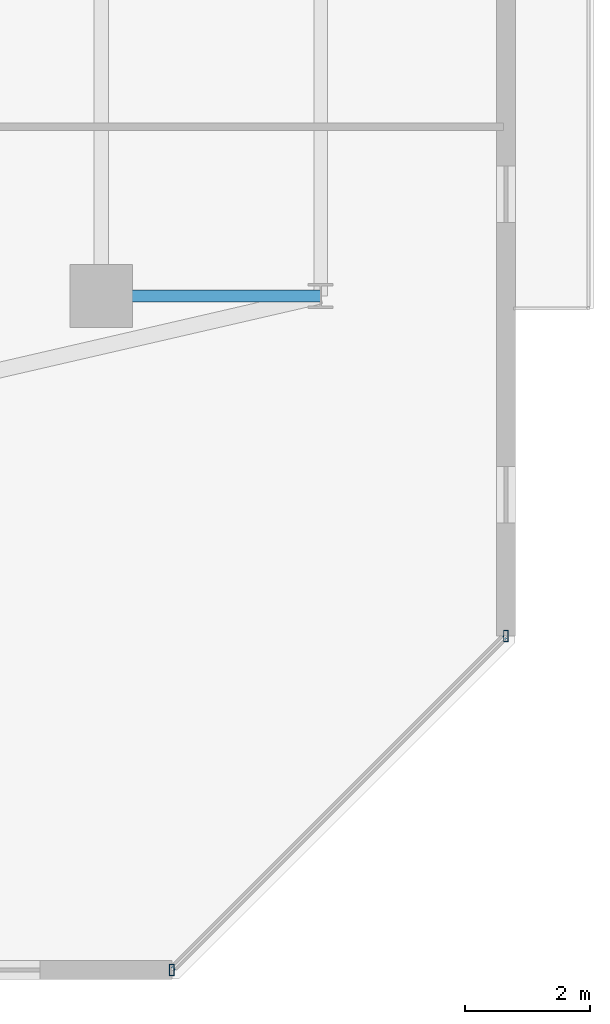
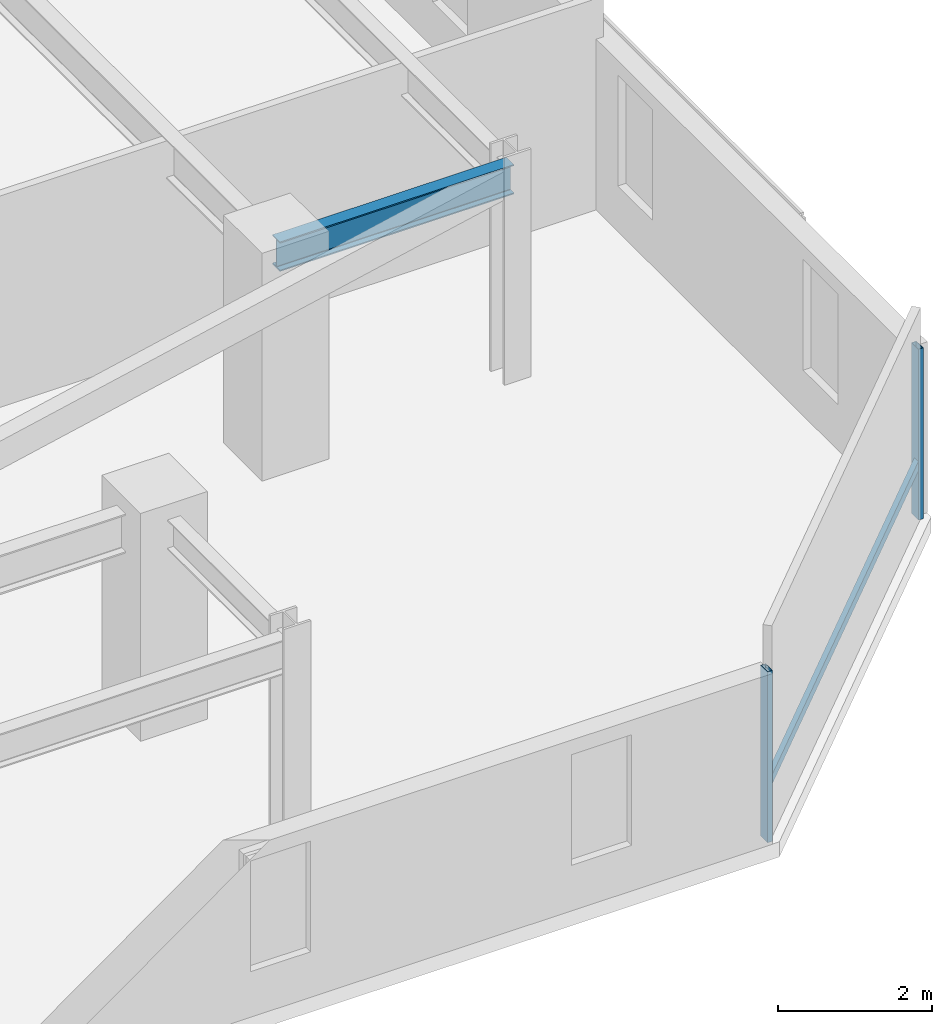
# One storey, part 12 of 32: 3 members, 1 beam, 1 element without a shape of its own.
"""IFC4 building model written with IfcOpenShell, lengths in metres."""

from ifc_helpers import new_model, si_unit, direction, frame, origin, origin_2d, place, context, subcontext, project, spatial, hollow_rectangle, i_section, extrude, material, material_profile, profile_set, type_object, element, aggregate, save


model = new_model("IFC4")

# Units and contexts
model_context = context("Model", 3, precision=1e-05, world=origin(), true_north=direction((0.0, 1.0)))
body_context = subcontext(model_context, "Body", "Model", "MODEL_VIEW")
ifc_project = project(units=[si_unit("LENGTHUNIT", "METRE"), si_unit("AREAUNIT", "SQUARE_METRE"), si_unit("VOLUMEUNIT", "CUBIC_METRE"), si_unit("PLANEANGLEUNIT", "RADIAN"), si_unit("MASSUNIT", "GRAM", prefix="KILO")], contexts=[model_context])

# Site, building, storey
site_placement = place(None, origin())
site = spatial("IfcSite", under=ifc_project, at=site_placement, CompositionType="ELEMENT")
building_placement = place(site_placement, origin())
building = spatial("IfcBuilding", under=site, at=building_placement, Name="Thornwick Lancets Civic Towers", CompositionType="ELEMENT")
storey_placement = place(building_placement, frame((0.0, 0.0, 240.300048828125)))
storey = spatial("IfcBuildingStorey", under=building, at=storey_placement, Name="L64", CompositionType="ELEMENT", Elevation=240.300048828125)

# Beam
ifc_material_1 = material(Name="Steel S355JR", Category="steel")
ifc_material_profile_1 = material_profile(ifc_material_1, i_section(OverallWidth=0.19287109375, OverallDepth=0.46728515625, WebThickness=0.011474609375, FlangeThickness=0.01953125, FilletRadius=0.01025390625, at=origin_2d()), Name="UKB 457x191x98")
ifc_profile_set_1 = profile_set([ifc_material_profile_1], Name="Steel S355JR")
beam_type = type_object("IfcBeamType", Name="BM_JOIST_457_98", PredefinedType="JOIST", material=ifc_profile_set_1)
beam_placement = place(storey_placement, frame((105.800048828125, 14.0, 3.12646484375), z_axis=(1.0, 0.0, 0.0), x_axis=(0.0, 1.0, 0.0)))
element("IfcBeam", 1, at=beam_placement, inside=storey, type_object=beam_type, Name="BM-RAD-L64-B01", PredefinedType="JOIST", context=body_context, shape_type="SweptSolid", body=[
    extrude(i_section(OverallWidth=0.19287109375, OverallDepth=0.46728515625, WebThickness=0.011474609375, FlangeThickness=0.01953125, FilletRadius=0.01025390625, at=origin_2d()), origin(), (0.0, 0.0, 1.0), 3.5),
])

# Curtain wall, members
ifc_material_2 = material(Name="High-zone chamfered-corner unitised glass curtain wall", Category="glass")
curtain_wall_type = type_object("IfcCurtainWallType", Name="CW_SYS_05", PredefinedType="NOTDEFINED", material=ifc_material_2)
curtain_wall_placement = place(storey_placement, origin())
curtain_wall = element("IfcCurtainWall", 2, at=curtain_wall_placement, inside=storey, type_object=curtain_wall_type, Name="L64 Curtain Wall CW-L64-B-E1", PredefinedType="NOTDEFINED")
ifc_material_3 = material(Name="Thermally broken bronze aluminium S355", Category="steel")
ifc_material_profile_2 = material_profile(ifc_material_3, hollow_rectangle(XDim=0.074951171875, YDim=0.179931640625, WallThickness=0.006103515625, at=origin_2d()), Name="RHS 180x75x6")
ifc_profile_set_2 = profile_set([ifc_material_profile_2], Name="Thermally broken bronze aluminium S355")
member_type_1 = type_object("IfcMemberType", Name="CW_MUL_180", PredefinedType="MULLION", material=ifc_profile_set_2)
member_1_placement = place(storey_placement, frame((106.923583984375, 3.244384765625, 0.0), z_axis=(0.0, 0.0, 1.0), x_axis=(1.0, 0.0, 0.0)))
member_1 = element("IfcMember", 3, at=member_1_placement, type_object=member_type_1, Name="CW-L64-B-E1 Mullion 0", PredefinedType="MULLION", context=body_context, shape_type="SweptSolid", body=[
    extrude(hollow_rectangle(XDim=0.074951171875, YDim=0.179931640625, WallThickness=0.006103515625, at=origin_2d()), origin(), (0.0, 0.0, 1.0), 2.699951171875),
])
member_2_placement = place(storey_placement, frame((112.255615234375, 8.576416015625, 0.0), z_axis=(0.0, 0.0, 1.0), x_axis=(1.0, 0.0, 0.0)))
member_2 = element("IfcMember", 4, at=member_2_placement, type_object=member_type_1, Name="CW-L64-B-E1 Mullion 1", PredefinedType="MULLION", context=body_context, shape_type="SweptSolid", body=[
    extrude(hollow_rectangle(XDim=0.074951171875, YDim=0.179931640625, WallThickness=0.006103515625, at=origin_2d()), origin(), (0.0, 0.0, 1.0), 2.699951171875),
])
ifc_material_profile_3 = material_profile(ifc_material_3, hollow_rectangle(XDim=0.074951171875, YDim=0.14990234375, WallThickness=0.0048828125, at=origin_2d()), Name="RHS 150x75x5")
ifc_profile_set_3 = profile_set([ifc_material_profile_3], Name="Thermally broken bronze aluminium S355")
member_type_2 = type_object("IfcMemberType", Name="CW_TRN_150", PredefinedType="USERDEFINED", material=ifc_profile_set_3)
member_3_placement = place(storey_placement, frame((106.937744140625, 3.258544921875, 0.849853515625), z_axis=(0.707106781187, 0.707106781187, 0.0), x_axis=(-0.707106781187, 0.707106781187, 0.0)))
member_3 = element("IfcMember", 5, at=member_3_placement, type_object=member_type_2, Name="CW-L64-B-E1 Transom 0", ObjectType="TRANSOM", PredefinedType="USERDEFINED", context=body_context, shape_type="SweptSolid", body=[
    extrude(hollow_rectangle(XDim=0.074951171875, YDim=0.14990234375, WallThickness=0.0048828125, at=origin_2d()), origin(), (0.0, 0.0, 1.0), 7.50048828125),
])
aggregate(curtain_wall, [member_1, member_2, member_3])

save(model, "model.ifc")
